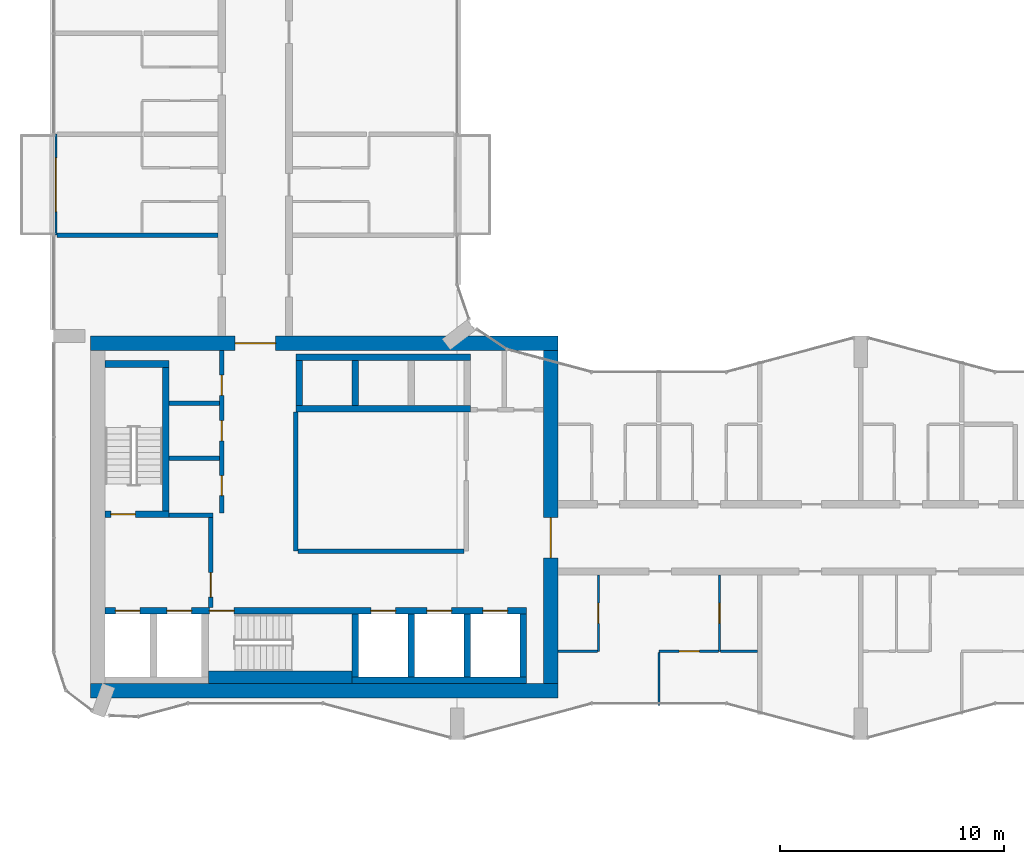
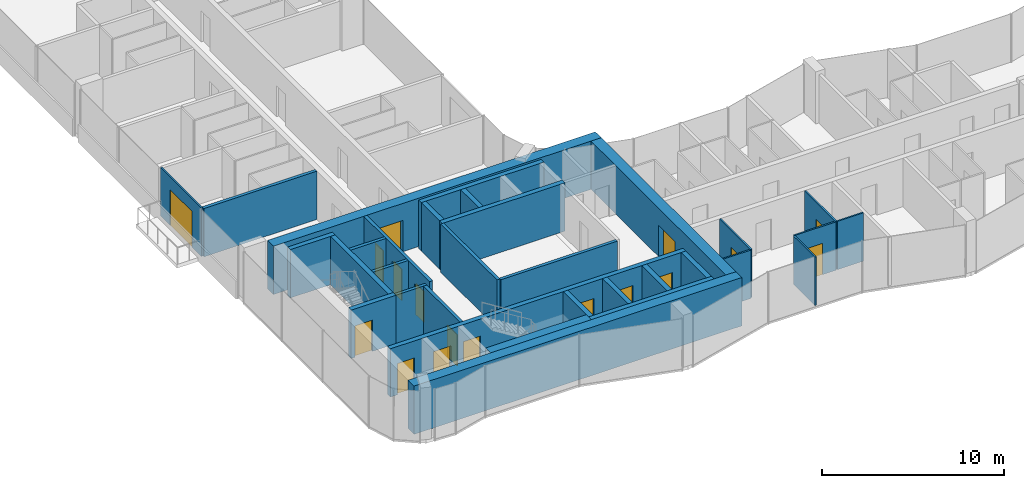
# One storey, part 13 of 22: 32 walls, 17 doors, 17 openings.
"""IFC4 building model written with IfcOpenShell, lengths in metres."""

from ifc_helpers import new_model, si_unit, direction, frame, frame_2d, origin, place, context, subcontext, project, spatial, rectangle, extrude, material, layer, layer_set, type_object, element, fill, save


model = new_model("IFC4")

# Units and contexts
model_context = context("Model", 3, precision=1e-05, world=origin(), true_north=direction((0.0, 1.0)))
body_context = subcontext(model_context, "Body", "Model", "MODEL_VIEW")
ifc_project = project(units=[si_unit("LENGTHUNIT", "METRE"), si_unit("AREAUNIT", "SQUARE_METRE"), si_unit("VOLUMEUNIT", "CUBIC_METRE"), si_unit("PLANEANGLEUNIT", "RADIAN"), si_unit("MASSUNIT", "GRAM", prefix="KILO")], contexts=[model_context])

# Site, building, storey
site_placement = place(None, origin())
site = spatial("IfcSite", under=ifc_project, at=site_placement, CompositionType="ELEMENT")
building_placement = place(site_placement, origin())
building = spatial("IfcBuilding", under=site, at=building_placement, Name="Plateau Cross Towers", CompositionType="ELEMENT")
storey_placement = place(building_placement, frame((0.0, 0.0, 102.800048828125)))
storey = spatial("IfcBuildingStorey", under=building, at=storey_placement, Name="L26", CompositionType="ELEMENT", Elevation=102.800048828125)

# Wall, opening, door
ifc_material_1 = material(Name="Aluminium framed glazing", Category="aluminium")
ifc_layer_1 = layer(ifc_material_1, 0.10009765625)
ifc_layer_set_1 = layer_set([ifc_layer_1], Name="Aluminium framed glazing")
wall_type_1 = type_object("IfcWallType", Name="Balcony screen wall 100", PredefinedType="STANDARD", material=ifc_layer_set_1)
wall_1_placement = place(storey_placement, frame((0.10009765625, 22.5, 0.0), z_axis=(0.0, 0.0, 1.0), x_axis=(0.0, 1.0, 0.0)))
wall_1 = element("IfcWall", 1, at=wall_1_placement, inside=storey, type_object=wall_type_1, Name="Balcony screen wall A-BAL-L26-01", PredefinedType="STANDARD", context=body_context, shape_type="SweptSolid", body=[
    extrude(rectangle(XDim=4.5, YDim=0.10009765625, at=frame_2d((2.25, 0.0))), origin(), (0.0, 0.0, 1.0), 3.25),
])
opening_1_placement = place(wall_1_placement, frame((1.050048828125, 0.0, 0.0)))
opening_1 = element("IfcOpeningElement", 2, at=opening_1_placement, cuts=wall_1, Name="Opening D-B24", PredefinedType="OPENING", context=body_context, shape_type="SweptSolid", body=[
    extrude(rectangle(XDim=2.39990234375, YDim=2.39990234375, at=frame_2d((1.199951171875, 1.199951171875))), frame((0.0, 0.06005859375, 0.0), z_axis=(0.0, -1.0, 0.0), x_axis=(1.0, 0.0, 0.0)), (0.0, 0.0, 1.0), 0.1201171875),
])
ifc_material_2 = material(Name="Aluminium frame, double glazing", Category="aluminium")
door_type_1 = type_object("IfcDoorType", Name="Balcony sliding door 2400", OperationType="NOTDEFINED", PredefinedType="DOOR", material=ifc_material_2)
door_1_placement = place(opening_1_placement, origin())
door_1 = element("IfcDoor", 3, at=door_1_placement, inside=storey, type_object=door_type_1, Name="Balcony door A-BAL-L26-01", OperationType="SINGLE_SWING_LEFT", OverallHeight=2.39990234375, OverallWidth=2.39990234375, PredefinedType="DOOR", context=body_context, shape_type="SweptSolid", body=[
    extrude(rectangle(XDim=2.39990234375, YDim=2.39990234375, at=frame_2d((1.199951171875, 1.199951171875))), frame((0.0, 0.02490234375, 0.0), z_axis=(0.0, -1.0, 0.0), x_axis=(1.0, 0.0, 0.0)), (0.0, 0.0, 1.0), 0.050048828125),
])
fill(opening_1, door_1)

ifc_material_3 = material(Name="Concrete block, plastered both sides", Category="concrete")
ifc_layer_2 = layer(ifc_material_3, 0.199951171875)
ifc_layer_set_2 = layer_set([ifc_layer_2], Name="Concrete block, plastered both sides")
wall_type_2 = type_object("IfcWallType", Name="Core partition 200", PredefinedType="PARTITIONING", material=ifc_layer_set_2)
wall_2_placement = place(storey_placement, frame((7.0, 5.89990234375, 0.0), z_axis=(0.0, 0.0, 1.0), x_axis=(0.0, 1.0, 0.0)))
wall_2 = element("IfcWall", 4, at=wall_2_placement, inside=storey, type_object=wall_type_2, Name="Core partition", PredefinedType="PARTITIONING", context=body_context, shape_type="SweptSolid", body=[
    extrude(rectangle(XDim=4.0, YDim=0.199951171875, at=frame_2d((2.0, 0.0))), origin(), (0.0, 0.0, 1.0), 3.25),
])
opening_2_placement = place(wall_2_placement, frame((0.449951171875, 0.0, 0.0)))
opening_2 = element("IfcOpeningElement", 5, at=opening_2_placement, cuts=wall_2, Name="Opening FFD", PredefinedType="OPENING", context=body_context, shape_type="SweptSolid", body=[
    extrude(rectangle(XDim=1.10009765625, YDim=2.10009765625, at=frame_2d((0.550048828125, 1.050048828125))), frame((0.0, 0.10986328125, 0.0), z_axis=(0.0, -1.0, 0.0), x_axis=(1.0, 0.0, 0.0)), (0.0, 0.0, 1.0), 0.219970703125),
])
ifc_material_4 = material(Name="Steel, fire-resisting leaf", Category="steel")
door_type_2 = type_object("IfcDoorType", Name="Firefighting lobby door 1100", OperationType="NOTDEFINED", PredefinedType="DOOR", material=ifc_material_4)
door_2_placement = place(opening_2_placement, origin())
door_2 = element("IfcDoor", 6, at=door_2_placement, inside=storey, type_object=door_type_2, Name="Firefighting lobby door FFD", OperationType="SINGLE_SWING_LEFT", OverallHeight=2.10009765625, OverallWidth=1.10009765625, PredefinedType="DOOR", context=body_context, shape_type="SweptSolid", body=[
    extrude(rectangle(XDim=1.10009765625, YDim=2.10009765625, at=frame_2d((0.550048828125, 1.050048828125))), frame((0.0, 0.02490234375, 0.0), z_axis=(0.0, -1.0, 0.0), x_axis=(1.0, 0.0, 0.0)), (0.0, 0.0, 1.0), 0.050048828125),
])
fill(opening_2, door_2)

# Walls
wall_3_placement = place(storey_placement, frame((5.14990234375, 10.0, 0.0), z_axis=(0.0, 0.0, 1.0), x_axis=(1.0, 0.0, 0.0)))
element("IfcWall", 7, at=wall_3_placement, inside=storey, type_object=wall_type_2, Name="Core partition", PredefinedType="PARTITIONING", context=body_context, shape_type="SweptSolid", body=[
    extrude(rectangle(XDim=1.9501953125, YDim=0.199951171875, at=frame_2d((0.97509765625, 0.0))), origin(), (0.0, 0.0, 1.0), 3.25),
])
wall_4_placement = place(storey_placement, frame((10.800048828125, 8.39990234375, 0.0), z_axis=(0.0, 0.0, 1.0), x_axis=(0.0, 1.0, 0.0)))
element("IfcWall", 8, at=wall_4_placement, inside=storey, type_object=wall_type_2, Name="Core partition", PredefinedType="PARTITIONING", context=body_context, shape_type="SweptSolid", body=[
    extrude(rectangle(XDim=6.2001953125, YDim=0.199951171875, at=frame_2d((3.10009765625, 0.0))), origin(), (0.0, 0.0, 1.0), 3.25),
])
wall_5_placement = place(storey_placement, frame((10.89990234375, 8.39990234375, 0.0), z_axis=(0.0, 0.0, 1.0), x_axis=(1.0, 0.0, 0.0)))
element("IfcWall", 9, at=wall_5_placement, inside=storey, type_object=wall_type_2, Name="Core partition", PredefinedType="PARTITIONING", context=body_context, shape_type="SweptSolid", body=[
    extrude(rectangle(XDim=7.400146484375, YDim=0.199951171875, at=frame_2d((3.7001953125, 0.0))), origin(), (0.0, 0.0, 1.0), 3.25),
])

# Wall, openings, doors
wall_6_placement = place(storey_placement, frame((7.5, 10.10009765625, 0.0), z_axis=(0.0, 0.0, 1.0), x_axis=(0.0, 1.0, 0.0)))
wall_6 = element("IfcWall", 10, at=wall_6_placement, inside=storey, type_object=wall_type_2, Name="Core partition", PredefinedType="PARTITIONING", context=body_context, shape_type="SweptSolid", body=[
    extrude(rectangle(XDim=7.25, YDim=0.199951171875, at=frame_2d((3.625, 0.0))), origin(), (0.0, 0.0, 1.0), 3.25),
])
opening_3_placement = place(wall_6_placement, frame((0.77490234375, 0.0, 0.0)))
opening_3 = element("IfcOpeningElement", 11, at=opening_3_placement, cuts=wall_6, Name="Opening RD1", PredefinedType="OPENING", context=body_context, shape_type="SweptSolid", body=[
    extrude(rectangle(XDim=0.89990234375, YDim=2.10009765625, at=frame_2d((0.449951171875, 1.050048828125))), frame((0.0, 0.10986328125, 0.0), z_axis=(0.0, -1.0, 0.0), x_axis=(1.0, 0.0, 0.0)), (0.0, 0.0, 1.0), 0.219970703125),
])
opening_4_placement = place(wall_6_placement, frame((3.22509765625, 0.0, 0.0)))
opening_4 = element("IfcOpeningElement", 12, at=opening_4_placement, cuts=wall_6, Name="Opening RD1", PredefinedType="OPENING", context=body_context, shape_type="SweptSolid", body=[
    extrude(rectangle(XDim=0.89990234375, YDim=2.10009765625, at=frame_2d((0.449951171875, 1.050048828125))), frame((0.0, 0.10986328125, 0.0), z_axis=(0.0, -1.0, 0.0), x_axis=(1.0, 0.0, 0.0)), (0.0, 0.0, 1.0), 0.219970703125),
])
opening_5_placement = place(wall_6_placement, frame((5.25, 0.0, 0.0)))
opening_5 = element("IfcOpeningElement", 13, at=opening_5_placement, cuts=wall_6, Name="Opening RD1", PredefinedType="OPENING", context=body_context, shape_type="SweptSolid", body=[
    extrude(rectangle(XDim=0.89990234375, YDim=2.10009765625, at=frame_2d((0.449951171875, 1.050048828125))), frame((0.0, 0.10986328125, 0.0), z_axis=(0.0, -1.0, 0.0), x_axis=(1.0, 0.0, 0.0)), (0.0, 0.0, 1.0), 0.219970703125),
])
ifc_material_5 = material(Name="Timber, fire-resisting leaf", Category="wood")
door_type_3 = type_object("IfcDoorType", Name="Core service door 900", OperationType="NOTDEFINED", PredefinedType="DOOR", material=ifc_material_5)
door_3_placement = place(opening_3_placement, origin())
door_3 = element("IfcDoor", 14, at=door_3_placement, inside=storey, type_object=door_type_3, Name="Core service door RD1", OperationType="SINGLE_SWING_RIGHT", OverallHeight=2.10009765625, OverallWidth=0.89990234375, PredefinedType="DOOR", context=body_context, shape_type="SweptSolid", body=[
    extrude(rectangle(XDim=0.89990234375, YDim=2.10009765625, at=frame_2d((0.449951171875, 1.050048828125))), frame((0.0, 0.02490234375, 0.0), z_axis=(0.0, -1.0, 0.0), x_axis=(1.0, 0.0, 0.0)), (0.0, 0.0, 1.0), 0.050048828125),
])
fill(opening_3, door_3)
door_4_placement = place(opening_4_placement, origin())
door_4 = element("IfcDoor", 15, at=door_4_placement, inside=storey, type_object=door_type_3, Name="Core service door RD1", OperationType="SINGLE_SWING_RIGHT", OverallHeight=2.10009765625, OverallWidth=0.89990234375, PredefinedType="DOOR", context=body_context, shape_type="SweptSolid", body=[
    extrude(rectangle(XDim=0.89990234375, YDim=2.10009765625, at=frame_2d((0.449951171875, 1.050048828125))), frame((0.0, 0.02490234375, 0.0), z_axis=(0.0, -1.0, 0.0), x_axis=(1.0, 0.0, 0.0)), (0.0, 0.0, 1.0), 0.050048828125),
])
fill(opening_4, door_4)
door_5_placement = place(opening_5_placement, origin())
door_5 = element("IfcDoor", 16, at=door_5_placement, inside=storey, type_object=door_type_3, Name="Core service door RD1", OperationType="SINGLE_SWING_RIGHT", OverallHeight=2.10009765625, OverallWidth=0.89990234375, PredefinedType="DOOR", context=body_context, shape_type="SweptSolid", body=[
    extrude(rectangle(XDim=0.89990234375, YDim=2.10009765625, at=frame_2d((0.449951171875, 1.050048828125))), frame((0.0, 0.02490234375, 0.0), z_axis=(0.0, -1.0, 0.0), x_axis=(1.0, 0.0, 0.0)), (0.0, 0.0, 1.0), 0.050048828125),
])
fill(opening_5, door_5)

# Walls
for number, where, z_axis, x_axis, name in (
    (17, (5.14990234375, 12.550048828125, 0.0), (0.0, 0.0, 1.0), (1.0, 0.0, 0.0), "Core partition"),
    (18, (5.14990234375, 15.0, 0.0), (0.0, 0.0, 1.0), (1.0, 0.0, 0.0), "Core partition"),
):
    element("IfcWall", number, at=place(storey_placement, frame(where, z_axis=z_axis, x_axis=x_axis)), inside=storey, type_object=wall_type_2, Name=name, PredefinedType="PARTITIONING", context=body_context, shape_type="SweptSolid", body=[
        extrude(rectangle(XDim=2.25, YDim=0.199951171875, at=frame_2d((1.125, 0.0))), origin(), (0.0, 0.0, 1.0), 3.25),
    ])
ifc_material_6 = material(Name="Concrete C60/75", Category="concrete")
ifc_layer_3 = layer(ifc_material_6, 0.300048828125)
ifc_layer_set_3 = layer_set([ifc_layer_3], Name="Concrete C60/75")
wall_type_3 = type_object("IfcWallType", Name="Core shaft wall 300", PredefinedType="SHEAR", material=ifc_layer_set_3)
wall_7_placement = place(storey_placement, frame((13.300048828125, 2.64990234375, 0.0), z_axis=(0.0, 0.0, 1.0), x_axis=(1.0, 0.0, 0.0)))
element("IfcWall", 19, at=wall_7_placement, inside=storey, type_object=wall_type_3, Name="A-sb-back3@L26", PredefinedType="SHEAR", context=body_context, shape_type="SweptSolid", body=[
    extrude(rectangle(XDim=7.800048828125, YDim=0.300048828125, at=frame_2d((3.89990234375, 0.0))), origin(), (0.0, 0.0, 1.0), 3.25),
])
for number, where, z_axis, x_axis, name in (
    (20, (13.449951171875, 2.800048828125, 0.0), (0.0, 0.0, 1.0), (0.0, 1.0, 0.0), "A-sb-v3@L26"),
    (21, (15.949951171875, 2.800048828125, 0.0), (0.0, 0.0, 1.0), (0.0, 1.0, 0.0), "A-sb-v4@L26"),
    (22, (18.449951171875, 2.800048828125, 0.0), (0.0, 0.0, 1.0), (0.0, 1.0, 0.0), "A-sb-v5@L26"),
    (23, (20.949951171875, 2.800048828125, 0.0), (0.0, 0.0, 1.0), (0.0, 1.0, 0.0), "A-sb-v6@L26"),
):
    element("IfcWall", number, at=place(storey_placement, frame(where, z_axis=z_axis, x_axis=x_axis)), inside=storey, type_object=wall_type_3, Name=name, PredefinedType="SHEAR", context=body_context, shape_type="SweptSolid", body=[
        extrude(rectangle(XDim=2.800048828125, YDim=0.300048828125, at=frame_2d((1.39990234375, 0.0))), origin(), (0.0, 0.0, 1.0), 3.25),
    ])

# Wall, openings, doors
wall_8_placement = place(storey_placement, frame((2.300048828125, 5.75, 0.0), z_axis=(0.0, 0.0, 1.0), x_axis=(1.0, 0.0, 0.0)))
wall_8 = element("IfcWall", 24, at=wall_8_placement, inside=storey, type_object=wall_type_3, Name="A-sb-front@L26", PredefinedType="SHEAR", context=body_context, shape_type="SweptSolid", body=[
    extrude(rectangle(XDim=18.800048828125, YDim=0.300048828125, at=frame_2d((9.39990234375, 0.0))), origin(), (0.0, 0.0, 1.0), 3.25),
])
opening_6_placement = place(wall_8_placement, frame((4.64990234375, 0.0, 0.0)))
opening_6 = element("IfcOpeningElement", 25, at=opening_6_placement, cuts=wall_8, Name="Opening SD", PredefinedType="OPENING", context=body_context, shape_type="SweptSolid", body=[
    extrude(rectangle(XDim=1.10009765625, YDim=2.10009765625, at=frame_2d((0.550048828125, 1.050048828125))), frame((0.0, 0.159912109375, 0.0), z_axis=(0.0, -1.0, 0.0), x_axis=(1.0, 0.0, 0.0)), (0.0, 0.0, 1.0), 0.320068359375),
])
opening_7_placement = place(wall_8_placement, frame((0.449951171875, 0.0, 0.0)))
opening_7 = element("IfcOpeningElement", 26, at=opening_7_placement, cuts=wall_8, Name="Opening LD", PredefinedType="OPENING", context=body_context, shape_type="SweptSolid", body=[
    extrude(rectangle(XDim=1.10009765625, YDim=2.10009765625, at=frame_2d((0.550048828125, 1.050048828125))), frame((0.0, 0.159912109375, 0.0), z_axis=(0.0, -1.0, 0.0), x_axis=(1.0, 0.0, 0.0)), (0.0, 0.0, 1.0), 0.320068359375),
])
opening_8_placement = place(wall_8_placement, frame((2.75, 0.0, 0.0)))
opening_8 = element("IfcOpeningElement", 27, at=opening_8_placement, cuts=wall_8, Name="Opening LD", PredefinedType="OPENING", context=body_context, shape_type="SweptSolid", body=[
    extrude(rectangle(XDim=1.10009765625, YDim=2.10009765625, at=frame_2d((0.550048828125, 1.050048828125))), frame((0.0, 0.159912109375, 0.0), z_axis=(0.0, -1.0, 0.0), x_axis=(1.0, 0.0, 0.0)), (0.0, 0.0, 1.0), 0.320068359375),
])
opening_9_placement = place(wall_8_placement, frame((11.85009765625, 0.0, 0.0)))
opening_9 = element("IfcOpeningElement", 28, at=opening_9_placement, cuts=wall_8, Name="Opening LD", PredefinedType="OPENING", context=body_context, shape_type="SweptSolid", body=[
    extrude(rectangle(XDim=1.10009765625, YDim=2.10009765625, at=frame_2d((0.550048828125, 1.050048828125))), frame((0.0, 0.159912109375, 0.0), z_axis=(0.0, -1.0, 0.0), x_axis=(1.0, 0.0, 0.0)), (0.0, 0.0, 1.0), 0.320068359375),
])
opening_10_placement = place(wall_8_placement, frame((14.35009765625, 0.0, 0.0)))
opening_10 = element("IfcOpeningElement", 29, at=opening_10_placement, cuts=wall_8, Name="Opening LD", PredefinedType="OPENING", context=body_context, shape_type="SweptSolid", body=[
    extrude(rectangle(XDim=1.10009765625, YDim=2.10009765625, at=frame_2d((0.550048828125, 1.050048828125))), frame((0.0, 0.159912109375, 0.0), z_axis=(0.0, -1.0, 0.0), x_axis=(1.0, 0.0, 0.0)), (0.0, 0.0, 1.0), 0.320068359375),
])
opening_11_placement = place(wall_8_placement, frame((16.85009765625, 0.0, 0.0)))
opening_11 = element("IfcOpeningElement", 30, at=opening_11_placement, cuts=wall_8, Name="Opening LD", PredefinedType="OPENING", context=body_context, shape_type="SweptSolid", body=[
    extrude(rectangle(XDim=1.10009765625, YDim=2.10009765625, at=frame_2d((0.550048828125, 1.050048828125))), frame((0.0, 0.159912109375, 0.0), z_axis=(0.0, -1.0, 0.0), x_axis=(1.0, 0.0, 0.0)), (0.0, 0.0, 1.0), 0.320068359375),
])
ifc_material_7 = material(Name="Stainless steel, fire-resisting sliding leaves", Category="steel")
door_type_4 = type_object("IfcDoorType", Name="Lift landing door 1100", OperationType="NOTDEFINED", PredefinedType="DOOR", material=ifc_material_7)
door_6_placement = place(opening_7_placement, origin())
door_6 = element("IfcDoor", 31, at=door_6_placement, inside=storey, type_object=door_type_4, Name="Lift landing door LD", OperationType="DOUBLE_DOOR_SLIDING", OverallHeight=2.10009765625, OverallWidth=1.10009765625, PredefinedType="DOOR", context=body_context, shape_type="SweptSolid", body=[
    extrude(rectangle(XDim=1.10009765625, YDim=2.10009765625, at=frame_2d((0.550048828125, 1.050048828125))), frame((0.0, 0.02490234375, 0.0), z_axis=(0.0, -1.0, 0.0), x_axis=(1.0, 0.0, 0.0)), (0.0, 0.0, 1.0), 0.050048828125),
])
fill(opening_7, door_6)
door_7_placement = place(opening_8_placement, origin())
door_7 = element("IfcDoor", 32, at=door_7_placement, inside=storey, type_object=door_type_4, Name="Lift landing door LD", OperationType="DOUBLE_DOOR_SLIDING", OverallHeight=2.10009765625, OverallWidth=1.10009765625, PredefinedType="DOOR", context=body_context, shape_type="SweptSolid", body=[
    extrude(rectangle(XDim=1.10009765625, YDim=2.10009765625, at=frame_2d((0.550048828125, 1.050048828125))), frame((0.0, 0.02490234375, 0.0), z_axis=(0.0, -1.0, 0.0), x_axis=(1.0, 0.0, 0.0)), (0.0, 0.0, 1.0), 0.050048828125),
])
fill(opening_8, door_7)
door_8_placement = place(opening_9_placement, origin())
door_8 = element("IfcDoor", 33, at=door_8_placement, inside=storey, type_object=door_type_4, Name="Lift landing door LD", OperationType="DOUBLE_DOOR_SLIDING", OverallHeight=2.10009765625, OverallWidth=1.10009765625, PredefinedType="DOOR", context=body_context, shape_type="SweptSolid", body=[
    extrude(rectangle(XDim=1.10009765625, YDim=2.10009765625, at=frame_2d((0.550048828125, 1.050048828125))), frame((0.0, 0.02490234375, 0.0), z_axis=(0.0, -1.0, 0.0), x_axis=(1.0, 0.0, 0.0)), (0.0, 0.0, 1.0), 0.050048828125),
])
fill(opening_9, door_8)
door_9_placement = place(opening_10_placement, origin())
door_9 = element("IfcDoor", 34, at=door_9_placement, inside=storey, type_object=door_type_4, Name="Lift landing door LD", OperationType="DOUBLE_DOOR_SLIDING", OverallHeight=2.10009765625, OverallWidth=1.10009765625, PredefinedType="DOOR", context=body_context, shape_type="SweptSolid", body=[
    extrude(rectangle(XDim=1.10009765625, YDim=2.10009765625, at=frame_2d((0.550048828125, 1.050048828125))), frame((0.0, 0.02490234375, 0.0), z_axis=(0.0, -1.0, 0.0), x_axis=(1.0, 0.0, 0.0)), (0.0, 0.0, 1.0), 0.050048828125),
])
fill(opening_10, door_9)
door_10_placement = place(opening_11_placement, origin())
door_10 = element("IfcDoor", 35, at=door_10_placement, inside=storey, type_object=door_type_4, Name="Lift landing door LD", OperationType="DOUBLE_DOOR_SLIDING", OverallHeight=2.10009765625, OverallWidth=1.10009765625, PredefinedType="DOOR", context=body_context, shape_type="SweptSolid", body=[
    extrude(rectangle(XDim=1.10009765625, YDim=2.10009765625, at=frame_2d((0.550048828125, 1.050048828125))), frame((0.0, 0.02490234375, 0.0), z_axis=(0.0, -1.0, 0.0), x_axis=(1.0, 0.0, 0.0)), (0.0, 0.0, 1.0), 0.050048828125),
])
fill(opening_11, door_10)
door_type_5 = type_object("IfcDoorType", Name="Stair door 1100", OperationType="NOTDEFINED", PredefinedType="DOOR", material=ifc_material_4)
door_11_placement = place(opening_6_placement, origin())
door_11 = element("IfcDoor", 36, at=door_11_placement, inside=storey, type_object=door_type_5, Name="Stair door SD", OperationType="SINGLE_SWING_LEFT", OverallHeight=2.10009765625, OverallWidth=1.10009765625, PredefinedType="DOOR", context=body_context, shape_type="SweptSolid", body=[
    extrude(rectangle(XDim=1.10009765625, YDim=2.10009765625, at=frame_2d((0.550048828125, 1.050048828125))), frame((0.0, 0.02490234375, 0.0), z_axis=(0.0, -1.0, 0.0), x_axis=(1.0, 0.0, 0.0)), (0.0, 0.0, 1.0), 0.050048828125),
])
fill(opening_6, door_11)

# Wall, opening, door
wall_9_placement = place(storey_placement, frame((2.300048828125, 10.050048828125, 0.0), z_axis=(0.0, 0.0, 1.0), x_axis=(1.0, 0.0, 0.0)))
wall_9 = element("IfcWall", 37, at=wall_9_placement, inside=storey, type_object=wall_type_3, Name="A-st1-S@L26", PredefinedType="SHEAR", context=body_context, shape_type="SweptSolid", body=[
    extrude(rectangle(XDim=2.849853515625, YDim=0.300048828125, at=frame_2d((1.4248046875, 0.0))), origin(), (0.0, 0.0, 1.0), 3.25),
])
opening_12_placement = place(wall_9_placement, frame((0.25, 0.0, 0.0)))
opening_12 = element("IfcOpeningElement", 38, at=opening_12_placement, cuts=wall_9, Name="Opening SD", PredefinedType="OPENING", context=body_context, shape_type="SweptSolid", body=[
    extrude(rectangle(XDim=1.10009765625, YDim=2.10009765625, at=frame_2d((0.550048828125, 1.050048828125))), frame((0.0, 0.159912109375, 0.0), z_axis=(0.0, -1.0, 0.0), x_axis=(1.0, 0.0, 0.0)), (0.0, 0.0, 1.0), 0.320068359375),
])
door_12_placement = place(opening_12_placement, origin())
door_12 = element("IfcDoor", 39, at=door_12_placement, inside=storey, type_object=door_type_5, Name="Stair door SD", OperationType="SINGLE_SWING_RIGHT", OverallHeight=2.10009765625, OverallWidth=1.10009765625, PredefinedType="DOOR", context=body_context, shape_type="SweptSolid", body=[
    extrude(rectangle(XDim=1.10009765625, YDim=2.10009765625, at=frame_2d((0.550048828125, 1.050048828125))), frame((0.0, 0.02490234375, 0.0), z_axis=(0.0, -1.0, 0.0), x_axis=(1.0, 0.0, 0.0)), (0.0, 0.0, 1.0), 0.050048828125),
])
fill(opening_12, door_12)

# Walls
wall_10_placement = place(storey_placement, frame((5.0, 10.199951171875, 0.0), z_axis=(0.0, 0.0, 1.0), x_axis=(0.0, 1.0, 0.0)))
element("IfcWall", 40, at=wall_10_placement, inside=storey, type_object=wall_type_3, Name="A-st1-E@L26", PredefinedType="SHEAR", context=body_context, shape_type="SweptSolid", body=[
    extrude(rectangle(XDim=6.400146484375, YDim=0.300048828125, at=frame_2d((3.2001953125, 0.0))), origin(), (0.0, 0.0, 1.0), 3.25),
])
wall_11_placement = place(storey_placement, frame((2.300048828125, 16.75, 0.0), z_axis=(0.0, 0.0, 1.0), x_axis=(1.0, 0.0, 0.0)))
element("IfcWall", 41, at=wall_11_placement, inside=storey, type_object=wall_type_3, Name="A-st1-N@L26", PredefinedType="SHEAR", context=body_context, shape_type="SweptSolid", body=[
    extrude(rectangle(XDim=2.849853515625, YDim=0.300048828125, at=frame_2d((1.4248046875, 0.0))), origin(), (0.0, 0.0, 1.0), 3.25),
])
for number, where, z_axis, x_axis, name in (
    (42, (10.800048828125, 17.050048828125, 0.0), (0.0, 0.0, 1.0), (1.0, 0.0, 0.0), "A-nb-back@L26"),
    (43, (10.800048828125, 14.75, 0.0), (0.0, 0.0, 1.0), (1.0, 0.0, 0.0), "A-nb-front@L26"),
):
    element("IfcWall", number, at=place(storey_placement, frame(where, z_axis=z_axis, x_axis=x_axis)), inside=storey, type_object=wall_type_3, Name=name, PredefinedType="SHEAR", context=body_context, shape_type="SweptSolid", body=[
        extrude(rectangle(XDim=7.800048828125, YDim=0.300048828125, at=frame_2d((3.89990234375, 0.0))), origin(), (0.0, 0.0, 1.0), 3.25),
    ])
for number, where, z_axis, x_axis, name in (
    (44, (10.949951171875, 14.89990234375, 0.0), (0.0, 0.0, 1.0), (0.0, 1.0, 0.0), "A-nb-v1@L26"),
    (45, (13.449951171875, 14.89990234375, 0.0), (0.0, 0.0, 1.0), (0.0, 1.0, 0.0), "A-nb-v2@L26"),
):
    element("IfcWall", number, at=place(storey_placement, frame(where, z_axis=z_axis, x_axis=x_axis)), inside=storey, type_object=wall_type_3, Name=name, PredefinedType="SHEAR", context=body_context, shape_type="SweptSolid", body=[
        extrude(rectangle(XDim=2.0, YDim=0.300048828125, at=frame_2d((1.0, 0.0))), origin(), (0.0, 0.0, 1.0), 3.25),
    ])
ifc_layer_4 = layer(ifc_material_6, 0.550048828125)
ifc_layer_set_4 = layer_set([ifc_layer_4], Name="Concrete C60/75")
wall_type_4 = type_object("IfcWallType", Name="Core shaft wall 550", PredefinedType="SHEAR", material=ifc_layer_set_4)
wall_12_placement = place(storey_placement, frame((6.89990234375, 2.77490234375, 0.0), z_axis=(0.0, 0.0, 1.0), x_axis=(1.0, 0.0, 0.0)))
element("IfcWall", 46, at=wall_12_placement, inside=storey, type_object=wall_type_4, Name="A-sb-back2@L26", PredefinedType="SHEAR", context=body_context, shape_type="SweptSolid", body=[
    extrude(rectangle(XDim=6.400146484375, YDim=0.550048828125, at=frame_2d((3.2001953125, 0.0))), origin(), (0.0, 0.0, 1.0), 3.25),
])
ifc_layer_5 = layer(ifc_material_6, 0.64990234375)
ifc_layer_set_5 = layer_set([ifc_layer_5], Name="Concrete C60/75")
wall_type_5 = type_object("IfcWallType", Name="Core shell wall 650", PredefinedType="SHEAR", material=ifc_layer_set_5)
wall_13_placement = place(storey_placement, frame((1.64990234375, 2.175048828125, 0.0), z_axis=(0.0, 0.0, 1.0), x_axis=(1.0, 0.0, 0.0)))
element("IfcWall", 47, at=wall_13_placement, inside=storey, type_object=wall_type_5, Name="A-core-S@L26", PredefinedType="SHEAR", context=body_context, shape_type="SweptSolid", body=[
    extrude(rectangle(XDim=20.85009765625, YDim=0.64990234375, at=frame_2d((10.425048828125, 0.0))), origin(), (0.0, 0.0, 1.0), 3.25),
])

# Wall, opening, door
wall_14_placement = place(storey_placement, frame((1.64990234375, 17.675048828125, 0.0), z_axis=(0.0, 0.0, 1.0), x_axis=(1.0, 0.0, 0.0)))
wall_14 = element("IfcWall", 48, at=wall_14_placement, inside=storey, type_object=wall_type_5, Name="A-core-N@L26", PredefinedType="SHEAR", context=body_context, shape_type="SweptSolid", body=[
    extrude(rectangle(XDim=20.85009765625, YDim=0.64990234375, at=frame_2d((10.425048828125, 0.0))), origin(), (0.0, 0.0, 1.0), 3.25),
])
opening_13_placement = place(wall_14_placement, frame((6.449951171875, 0.0, 0.0)))
opening_13 = element("IfcOpeningElement", 49, at=opening_13_placement, cuts=wall_14, Name="Opening CD", PredefinedType="OPENING", context=body_context, shape_type="SweptSolid", body=[
    extrude(rectangle(XDim=1.800048828125, YDim=2.10009765625, at=frame_2d((0.89990234375, 1.050048828125))), frame((0.0, 0.3349609375, 0.0), z_axis=(0.0, -1.0, 0.0), x_axis=(1.0, 0.0, 0.0)), (0.0, 0.0, 1.0), 0.669921875),
])
ifc_material_8 = material(Name="Steel, fire-resisting leaves", Category="steel")
door_type_6 = type_object("IfcDoorType", Name="Corridor door pair 1800", OperationType="NOTDEFINED", PredefinedType="DOOR", material=ifc_material_8)
door_13_placement = place(opening_13_placement, origin())
door_13 = element("IfcDoor", 50, at=door_13_placement, inside=storey, type_object=door_type_6, Name="Corridor door pair CD", OperationType="DOUBLE_DOOR_SINGLE_SWING", OverallHeight=2.10009765625, OverallWidth=1.800048828125, PredefinedType="DOOR", context=body_context, shape_type="SweptSolid", body=[
    extrude(rectangle(XDim=1.800048828125, YDim=2.10009765625, at=frame_2d((0.89990234375, 1.050048828125))), frame((0.0, 0.02490234375, 0.0), z_axis=(0.0, -1.0, 0.0), x_axis=(1.0, 0.0, 0.0)), (0.0, 0.0, 1.0), 0.050048828125),
])
fill(opening_13, door_13)

wall_15_placement = place(storey_placement, frame((22.175048828125, 2.5, 0.0), z_axis=(0.0, 0.0, 1.0), x_axis=(0.0, 1.0, 0.0)))
wall_15 = element("IfcWall", 51, at=wall_15_placement, inside=storey, type_object=wall_type_5, Name="A-core-E@L26", PredefinedType="SHEAR", context=body_context, shape_type="SweptSolid", body=[
    extrude(rectangle(XDim=14.85009765625, YDim=0.64990234375, at=frame_2d((7.425048828125, 0.0))), origin(), (0.0, 0.0, 1.0), 3.25),
])
opening_14_placement = place(wall_15_placement, frame((5.60009765625, 0.0, 0.0)))
opening_14 = element("IfcOpeningElement", 52, at=opening_14_placement, cuts=wall_15, Name="Opening CD", PredefinedType="OPENING", context=body_context, shape_type="SweptSolid", body=[
    extrude(rectangle(XDim=1.800048828125, YDim=2.10009765625, at=frame_2d((0.89990234375, 1.050048828125))), frame((0.0, 0.3349609375, 0.0), z_axis=(0.0, -1.0, 0.0), x_axis=(1.0, 0.0, 0.0)), (0.0, 0.0, 1.0), 0.669921875),
])
door_14_placement = place(opening_14_placement, origin())
door_14 = element("IfcDoor", 53, at=door_14_placement, inside=storey, type_object=door_type_6, Name="Corridor door pair CD", OperationType="DOUBLE_DOOR_SINGLE_SWING", OverallHeight=2.10009765625, OverallWidth=1.800048828125, PredefinedType="DOOR", context=body_context, shape_type="SweptSolid", body=[
    extrude(rectangle(XDim=1.800048828125, YDim=2.10009765625, at=frame_2d((0.89990234375, 1.050048828125))), frame((0.0, 0.02490234375, 0.0), z_axis=(0.0, -1.0, 0.0), x_axis=(1.0, 0.0, 0.0)), (0.0, 0.0, 1.0), 0.050048828125),
])
fill(opening_14, door_14)

ifc_material_9 = material(Name="Gypsum board on steel studs", Category="steel")
ifc_layer_6 = layer(ifc_material_9, 0.10009765625)
ifc_layer_set_6 = layer_set([ifc_layer_6], Name="Gypsum board on steel studs")
wall_type_6 = type_object("IfcWallType", Name="Flat partition 100", PredefinedType="PARTITIONING", material=ifc_layer_set_6)
wall_16_placement = place(storey_placement, frame((29.64990234375, 3.9375, 0.0), z_axis=(0.0, 0.0, 1.0), x_axis=(-1.0, 0.0, 0.0)))
wall_16 = element("IfcWall", 54, at=wall_16_placement, inside=storey, type_object=wall_type_6, Name="Partition wall", PredefinedType="PARTITIONING", context=body_context, shape_type="SweptSolid", body=[
    extrude(rectangle(XDim=2.64990234375, YDim=0.10009765625, at=frame_2d((1.324951171875, 0.0))), origin(), (0.0, 0.0, 1.0), 3.25),
])
opening_15_placement = place(wall_16_placement, frame((0.85009765625, 0.0, 0.0)))
opening_15 = element("IfcOpeningElement", 55, at=opening_15_placement, cuts=wall_16, Name="Opening 26-23", PredefinedType="OPENING", context=body_context, shape_type="SweptSolid", body=[
    extrude(rectangle(XDim=0.89990234375, YDim=2.10009765625, at=frame_2d((0.449951171875, 1.050048828125))), frame((0.0, 0.06005859375, 0.0), z_axis=(0.0, -1.0, 0.0), x_axis=(1.0, 0.0, 0.0)), (0.0, 0.0, 1.0), 0.1201171875),
])
ifc_material_10 = material(Name="Timber leaf", Category="wood")
door_type_7 = type_object("IfcDoorType", Name="Flat room door 900", OperationType="NOTDEFINED", PredefinedType="DOOR", material=ifc_material_10)
door_15_placement = place(opening_15_placement, origin())
door_15 = element("IfcDoor", 56, at=door_15_placement, inside=storey, type_object=door_type_7, Name="Door 26-23", OperationType="SINGLE_SWING_LEFT", OverallHeight=2.10009765625, OverallWidth=0.89990234375, PredefinedType="DOOR", context=body_context, shape_type="SweptSolid", body=[
    extrude(rectangle(XDim=0.89990234375, YDim=2.10009765625, at=frame_2d((0.449951171875, 1.050048828125))), frame((0.0, 0.02490234375, 0.0), z_axis=(0.0, -1.0, 0.0), x_axis=(1.0, 0.0, 0.0)), (0.0, 0.0, 1.0), 0.050048828125),
])
fill(opening_15, door_15)

# Walls
wall_17_placement = place(storey_placement, frame((22.5, 3.9375, 0.0), z_axis=(0.0, 0.0, 1.0), x_axis=(1.0, 0.0, 0.0)))
element("IfcWall", 57, at=wall_17_placement, inside=storey, type_object=wall_type_6, Name="Partition wall", PredefinedType="PARTITIONING", context=body_context, shape_type="SweptSolid", body=[
    extrude(rectangle(XDim=1.75, YDim=0.10009765625, at=frame_2d((0.875, 0.0))), origin(), (0.0, 0.0, 1.0), 3.25),
])
wall_18_placement = place(storey_placement, frame((29.75, 3.9375, 0.0), z_axis=(0.0, 0.0, 1.0), x_axis=(1.0, 0.0, 0.0)))
element("IfcWall", 58, at=wall_18_placement, inside=storey, type_object=wall_type_6, Name="Partition wall", PredefinedType="PARTITIONING", context=body_context, shape_type="SweptSolid", body=[
    extrude(rectangle(XDim=1.64990234375, YDim=0.10009765625, at=frame_2d((0.824951171875, 0.0))), origin(), (0.0, 0.0, 1.0), 3.25),
])

# Wall, opening, door
wall_19_placement = place(storey_placement, frame((24.300048828125, 3.9375, 0.0), z_axis=(0.0, 0.0, 1.0), x_axis=(0.0, 1.0, 0.0)))
wall_19 = element("IfcWall", 59, at=wall_19_placement, inside=storey, type_object=wall_type_6, Name="Partition wall", PredefinedType="PARTITIONING", context=body_context, shape_type="SweptSolid", body=[
    extrude(rectangle(XDim=3.39990234375, YDim=0.10009765625, at=frame_2d((1.699951171875, 0.0))), origin(), (0.0, 0.0, 1.0), 3.25),
])
opening_16_placement = place(wall_19_placement, frame((1.25, 0.0, 0.0)))
opening_16 = element("IfcOpeningElement", 60, at=opening_16_placement, cuts=wall_19, Name="Opening 26-21", PredefinedType="OPENING", context=body_context, shape_type="SweptSolid", body=[
    extrude(rectangle(XDim=0.89990234375, YDim=2.10009765625, at=frame_2d((0.449951171875, 1.050048828125))), frame((0.0, 0.06005859375, 0.0), z_axis=(0.0, -1.0, 0.0), x_axis=(1.0, 0.0, 0.0)), (0.0, 0.0, 1.0), 0.1201171875),
])
door_16_placement = place(opening_16_placement, origin())
door_16 = element("IfcDoor", 61, at=door_16_placement, inside=storey, type_object=door_type_7, Name="Door 26-21", OperationType="SINGLE_SWING_LEFT", OverallHeight=2.10009765625, OverallWidth=0.89990234375, PredefinedType="DOOR", context=body_context, shape_type="SweptSolid", body=[
    extrude(rectangle(XDim=0.89990234375, YDim=2.10009765625, at=frame_2d((0.449951171875, 1.050048828125))), frame((0.0, 0.02490234375, 0.0), z_axis=(0.0, -1.0, 0.0), x_axis=(1.0, 0.0, 0.0)), (0.0, 0.0, 1.0), 0.050048828125),
])
fill(opening_16, door_16)

# Wall
wall_20_placement = place(storey_placement, frame((27.0, 3.887451171875, 0.0), z_axis=(0.0, 0.0, 1.0), x_axis=(0.0, -1.0, 0.0)))
element("IfcWall", 62, at=wall_20_placement, inside=storey, type_object=wall_type_6, Name="Partition wall", PredefinedType="PARTITIONING", context=body_context, shape_type="SweptSolid", body=[
    extrude(rectangle(XDim=2.360595703125, YDim=0.10009765625, at=frame_2d((1.18017578125, 0.0))), origin(), (0.0, 0.0, 1.0), 3.25),
])

# Wall, opening, door
wall_21_placement = place(storey_placement, frame((29.699951171875, 7.33740234375, 0.0), z_axis=(0.0, 0.0, 1.0), x_axis=(0.0, -1.0, 0.0)))
wall_21 = element("IfcWall", 63, at=wall_21_placement, inside=storey, type_object=wall_type_6, Name="Partition wall", PredefinedType="PARTITIONING", context=body_context, shape_type="SweptSolid", body=[
    extrude(rectangle(XDim=3.39990234375, YDim=0.10009765625, at=frame_2d((1.699951171875, 0.0))), origin(), (0.0, 0.0, 1.0), 3.25),
])
opening_17_placement = place(wall_21_placement, frame((1.25, 0.0, 0.0)))
opening_17 = element("IfcOpeningElement", 64, at=opening_17_placement, cuts=wall_21, Name="Opening 26-22", PredefinedType="OPENING", context=body_context, shape_type="SweptSolid", body=[
    extrude(rectangle(XDim=0.89990234375, YDim=2.10009765625, at=frame_2d((0.449951171875, 1.050048828125))), frame((0.0, 0.06005859375, 0.0), z_axis=(0.0, -1.0, 0.0), x_axis=(1.0, 0.0, 0.0)), (0.0, 0.0, 1.0), 0.1201171875),
])
door_17_placement = place(opening_17_placement, origin())
door_17 = element("IfcDoor", 65, at=door_17_placement, inside=storey, type_object=door_type_7, Name="Door 26-22", OperationType="SINGLE_SWING_LEFT", OverallHeight=2.10009765625, OverallWidth=0.89990234375, PredefinedType="DOOR", context=body_context, shape_type="SweptSolid", body=[
    extrude(rectangle(XDim=0.89990234375, YDim=2.10009765625, at=frame_2d((0.449951171875, 1.050048828125))), frame((0.0, 0.02490234375, 0.0), z_axis=(0.0, -1.0, 0.0), x_axis=(1.0, 0.0, 0.0)), (0.0, 0.0, 1.0), 0.050048828125),
])
fill(opening_17, door_17)

# Wall
ifc_material_11 = material(Name="Gypsum board on steel studs, two layers each side", Category="steel")
ifc_layer_7 = layer(ifc_material_11, 0.199951171875)
ifc_layer_set_7 = layer_set([ifc_layer_7], Name="Gypsum board on steel studs, two layers each side")
wall_type_7 = type_object("IfcWallType", Name="Flat party wall 200", PredefinedType="PARTITIONING", material=ifc_layer_set_7)
wall_22_placement = place(storey_placement, frame((7.33740234375, 22.5, 0.0), z_axis=(0.0, 0.0, 1.0), x_axis=(-1.0, 0.0, 0.0)))
element("IfcWall", 66, at=wall_22_placement, inside=storey, type_object=wall_type_7, Name="Party wall", PredefinedType="PARTITIONING", context=body_context, shape_type="SweptSolid", body=[
    extrude(rectangle(XDim=7.1875, YDim=0.199951171875, at=frame_2d((3.59375, 0.0))), origin(), (0.0, 0.0, 1.0), 3.25),
])

save(model, "model.ifc")
